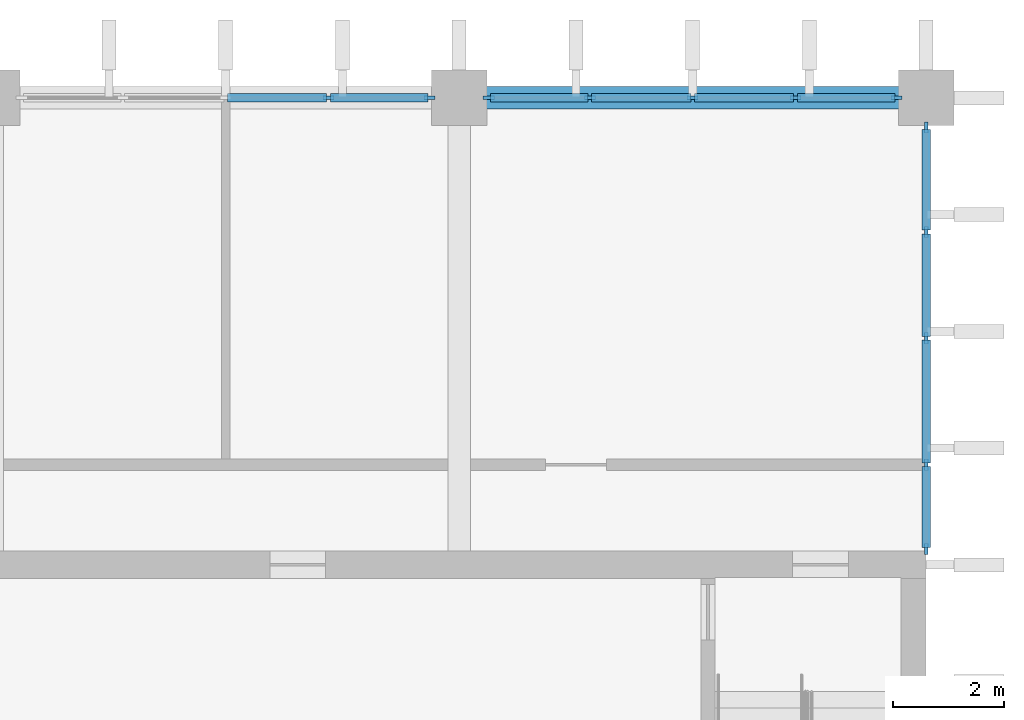
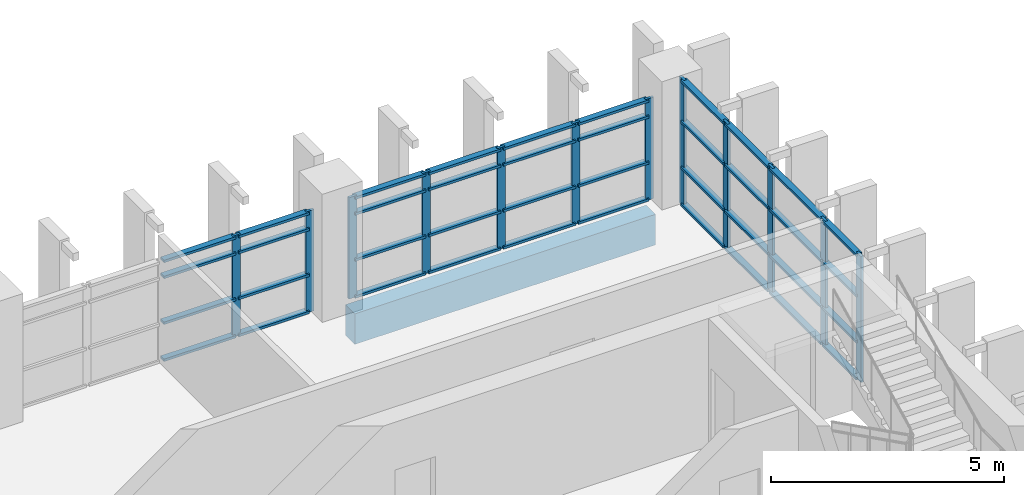
# One storey, part 6 of 24: 52 members, 1 beam, 3 elements without a shape of their own.
"""IFC4 building model written with IfcOpenShell, lengths in metres."""

from ifc_helpers import new_model, si_unit, direction, frame, origin, origin_2d, place, context, subcontext, project, spatial, rectangle, extrude, material, layer, layer_set, material_profile, profile_set, type_object, element, aggregate, save


model = new_model("IFC4")

# Units and contexts
model_context = context("Model", 3, precision=1e-05, world=origin(), true_north=direction((0.0, 1.0)))
body_context = subcontext(model_context, "Body", "Model", "MODEL_VIEW")
ifc_project = project(units=[si_unit("LENGTHUNIT", "METRE"), si_unit("AREAUNIT", "SQUARE_METRE"), si_unit("VOLUMEUNIT", "CUBIC_METRE"), si_unit("PLANEANGLEUNIT", "RADIAN"), si_unit("MASSUNIT", "GRAM", prefix="KILO")], contexts=[model_context])

# Site, building, storey
site_placement = place(None, origin())
site = spatial("IfcSite", under=ifc_project, at=site_placement, CompositionType="ELEMENT")
building_placement = place(site_placement, origin())
building = spatial("IfcBuilding", under=site, at=building_placement, Name="Rulbaag Community and Learning Centre", CompositionType="ELEMENT")
storey_placement = place(building_placement, frame((0.0, 0.0, 14.39990234375)))
storey = spatial("IfcBuildingStorey", under=building, at=storey_placement, Name="L03", CompositionType="ELEMENT", Elevation=14.39990234375)

# Beam
ifc_material_1 = material(Name="Concrete M40", Category="concrete")
ifc_material_profile_1 = material_profile(ifc_material_1, rectangle(XDim=0.39990234375, YDim=0.800048828125, at=origin_2d()), Name="RB400x800")
ifc_profile_set_1 = profile_set([ifc_material_profile_1], Name="Concrete M40")
beam_type = type_object("IfcBeamType", Name="B9 Terrace beam 400x800 Concrete M40", PredefinedType="BEAM", material=ifc_profile_set_1)
beam_placement = place(storey_placement, frame((160.080078125, 117.60009765625, -0.699951171875), z_axis=(1.0, 0.0, 0.0), x_axis=(0.0, 1.0, 0.0)))
element("IfcBeam", 1, at=beam_placement, inside=storey, type_object=beam_type, Name="BM-L03-20O-21O", PredefinedType="BEAM", context=body_context, shape_type="SweptSolid", body=[
    extrude(rectangle(XDim=0.39990234375, YDim=0.800048828125, at=origin_2d()), origin(), (0.0, 0.0, 1.0), 7.43994140625),
])

# Curtain wall, members
ifc_material_2 = material(Name="Aluminium", Category="aluminium")
ifc_layer = layer(ifc_material_2, 0.14990234375)
ifc_layer_set = layer_set([ifc_layer], Name="CW-T")
curtain_wall_type = type_object("IfcCurtainWallType", Name="CW-T", PredefinedType="USERDEFINED", material=ifc_layer_set)
curtain_wall_1_placement = place(storey_placement, origin())
curtain_wall_1 = element("IfcCurtainWall", 2, at=curtain_wall_1_placement, inside=storey, type_object=curtain_wall_type, Name="GT-L03-02", ObjectType="UNITISED CURTAIN WALL", PredefinedType="USERDEFINED")
ifc_material_3 = material(Name="Aluminium mullion", Category="aluminium")
ifc_material_profile_2 = material_profile(ifc_material_3, rectangle(XDim=0.06494140625, YDim=0.199951171875, at=origin_2d()), Name="AL 65x200")
ifc_profile_set_2 = profile_set([ifc_material_profile_2], Name="Aluminium mullion")
member_type_1 = type_object("IfcMemberType", Name="CW-T-MUL", PredefinedType="MULLION", material=ifc_profile_set_2)
member_1_placement = place(storey_placement, frame((157.25, 117.60009765625, 0.0), z_axis=(0.0, 0.0, 1.0), x_axis=(0.0, 1.0, 0.0)))
member_1 = element("IfcMember", 3, at=member_1_placement, type_object=member_type_1, Name="GT mullion 4", PredefinedType="MULLION", context=body_context, shape_type="SweptSolid", body=[
    extrude(rectangle(XDim=0.06494140625, YDim=0.199951171875, at=origin_2d()), origin(), (0.0, 0.0, 1.0), 2.650146484375),
])
member_2_placement = place(storey_placement, frame((159.0673828125, 117.60009765625, 0.0), z_axis=(0.0, 0.0, 1.0), x_axis=(0.0, 1.0, 0.0)))
member_2 = element("IfcMember", 4, at=member_2_placement, type_object=member_type_1, Name="GT mullion 5", PredefinedType="MULLION", context=body_context, shape_type="SweptSolid", body=[
    extrude(rectangle(XDim=0.06494140625, YDim=0.199951171875, at=origin_2d()), origin(), (0.0, 0.0, 1.0), 2.650146484375),
])

curtain_wall_2_placement = place(storey_placement, origin())
curtain_wall_2 = element("IfcCurtainWall", 5, at=curtain_wall_2_placement, inside=storey, type_object=curtain_wall_type, Name="GT-L03-03", ObjectType="UNITISED CURTAIN WALL", PredefinedType="USERDEFINED")
member_3_placement = place(storey_placement, frame((160.132568359375, 117.60009765625, 0.0), z_axis=(0.0, 0.0, 1.0), x_axis=(0.0, 1.0, 0.0)))
member_3 = element("IfcMember", 6, at=member_3_placement, type_object=member_type_1, Name="GT mullion 1", PredefinedType="MULLION", context=body_context, shape_type="SweptSolid", body=[
    extrude(rectangle(XDim=0.06494140625, YDim=0.199951171875, at=origin_2d()), origin(), (0.0, 0.0, 1.0), 2.650146484375),
])
member_4_placement = place(storey_placement, frame((161.949951171875, 117.60009765625, 0.0), z_axis=(0.0, 0.0, 1.0), x_axis=(0.0, 1.0, 0.0)))
member_4 = element("IfcMember", 7, at=member_4_placement, type_object=member_type_1, Name="GT mullion 2", PredefinedType="MULLION", context=body_context, shape_type="SweptSolid", body=[
    extrude(rectangle(XDim=0.06494140625, YDim=0.199951171875, at=origin_2d()), origin(), (0.0, 0.0, 1.0), 2.650146484375),
])
member_5_placement = place(storey_placement, frame((163.800048828125, 117.60009765625, 0.0), z_axis=(0.0, 0.0, 1.0), x_axis=(0.0, 1.0, 0.0)))
member_5 = element("IfcMember", 8, at=member_5_placement, type_object=member_type_1, Name="GT mullion 3", PredefinedType="MULLION", context=body_context, shape_type="SweptSolid", body=[
    extrude(rectangle(XDim=0.06494140625, YDim=0.199951171875, at=origin_2d()), origin(), (0.0, 0.0, 1.0), 2.650146484375),
])
member_6_placement = place(storey_placement, frame((165.64990234375, 117.60009765625, 0.0), z_axis=(0.0, 0.0, 1.0), x_axis=(0.0, 1.0, 0.0)))
member_6 = element("IfcMember", 9, at=member_6_placement, type_object=member_type_1, Name="GT mullion 4", PredefinedType="MULLION", context=body_context, shape_type="SweptSolid", body=[
    extrude(rectangle(XDim=0.06494140625, YDim=0.199951171875, at=origin_2d()), origin(), (0.0, 0.0, 1.0), 2.650146484375),
])
member_7_placement = place(storey_placement, frame((167.467529296875, 117.60009765625, 0.0), z_axis=(0.0, 0.0, 1.0), x_axis=(0.0, 1.0, 0.0)))
member_7 = element("IfcMember", 10, at=member_7_placement, type_object=member_type_1, Name="GT mullion 5", PredefinedType="MULLION", context=body_context, shape_type="SweptSolid", body=[
    extrude(rectangle(XDim=0.06494140625, YDim=0.199951171875, at=origin_2d()), origin(), (0.0, 0.0, 1.0), 2.650146484375),
])

curtain_wall_3_placement = place(storey_placement, origin())
curtain_wall_3 = element("IfcCurtainWall", 11, at=curtain_wall_3_placement, inside=storey, type_object=curtain_wall_type, Name="GT-L03-06", ObjectType="UNITISED CURTAIN WALL", PredefinedType="USERDEFINED")
member_8_placement = place(storey_placement, frame((168.0, 109.482421875, 0.0), z_axis=(0.0, 0.0, 1.0), x_axis=(-1.0, 0.0, 0.0)))
member_8 = element("IfcMember", 12, at=member_8_placement, type_object=member_type_1, Name="GT mullion 1", PredefinedType="MULLION", context=body_context, shape_type="SweptSolid", body=[
    extrude(rectangle(XDim=0.06494140625, YDim=0.199951171875, at=origin_2d()), origin(), (0.0, 0.0, 1.0), 3.300048828125),
])
member_9_placement = place(storey_placement, frame((168.0, 111.0, 0.0), z_axis=(0.0, 0.0, 1.0), x_axis=(-1.0, 0.0, 0.0)))
member_9 = element("IfcMember", 13, at=member_9_placement, type_object=member_type_1, Name="GT mullion 2", PredefinedType="MULLION", context=body_context, shape_type="SweptSolid", body=[
    extrude(rectangle(XDim=0.06494140625, YDim=0.199951171875, at=origin_2d()), origin(), (0.0, 0.0, 1.0), 3.300048828125),
])
member_10_placement = place(storey_placement, frame((168.0, 113.27490234375, 0.0), z_axis=(0.0, 0.0, 1.0), x_axis=(-1.0, 0.0, 0.0)))
member_10 = element("IfcMember", 14, at=member_10_placement, type_object=member_type_1, Name="GT mullion 3", PredefinedType="MULLION", context=body_context, shape_type="SweptSolid", body=[
    extrude(rectangle(XDim=0.06494140625, YDim=0.199951171875, at=origin_2d()), origin(), (0.0, 0.0, 1.0), 3.300048828125),
])
member_11_placement = place(storey_placement, frame((168.0, 115.1875, 0.0), z_axis=(0.0, 0.0, 1.0), x_axis=(-1.0, 0.0, 0.0)))
member_11 = element("IfcMember", 15, at=member_11_placement, type_object=member_type_1, Name="GT mullion 4", PredefinedType="MULLION", context=body_context, shape_type="SweptSolid", body=[
    extrude(rectangle(XDim=0.06494140625, YDim=0.199951171875, at=origin_2d()), origin(), (0.0, 0.0, 1.0), 3.300048828125),
])
member_12_placement = place(storey_placement, frame((168.0, 117.0673828125, 0.0), z_axis=(0.0, 0.0, 1.0), x_axis=(-1.0, 0.0, 0.0)))
member_12 = element("IfcMember", 16, at=member_12_placement, type_object=member_type_1, Name="GT mullion 5", PredefinedType="MULLION", context=body_context, shape_type="SweptSolid", body=[
    extrude(rectangle(XDim=0.06494140625, YDim=0.199951171875, at=origin_2d()), origin(), (0.0, 0.0, 1.0), 3.300048828125),
])

# Member
ifc_material_4 = material(Name="Aluminium transom", Category="aluminium")
ifc_material_profile_3 = material_profile(ifc_material_4, rectangle(XDim=0.14990234375, YDim=0.06494140625, at=origin_2d()), Name="AL 65x150 T")
ifc_profile_set_3 = profile_set([ifc_material_profile_3], Name="Aluminium transom")
member_type_2 = type_object("IfcMemberType", Name="CW-T-TRN", PredefinedType="USERDEFINED", material=ifc_profile_set_3)
member_13_placement = place(storey_placement, frame((155.4326171875, 117.60009765625, 0.03271484375), z_axis=(1.0, 0.0, 0.0), x_axis=(0.0, 1.0, 0.0)))
member_13 = element("IfcMember", 17, at=member_13_placement, type_object=member_type_2, Name="GT transom 3.1", ObjectType="TRANSOM", PredefinedType="USERDEFINED", context=body_context, shape_type="SweptSolid", body=[
    extrude(rectangle(XDim=0.14990234375, YDim=0.06494140625, at=origin_2d()), origin(), (0.0, 0.0, 1.0), 1.784912109375),
])

member_14_placement = place(storey_placement, frame((155.4326171875, 117.60009765625, 1.0), z_axis=(1.0, 0.0, 0.0), x_axis=(0.0, 1.0, 0.0)))
member_14 = element("IfcMember", 18, at=member_14_placement, type_object=member_type_2, Name="GT transom 3.2", ObjectType="TRANSOM", PredefinedType="USERDEFINED", context=body_context, shape_type="SweptSolid", body=[
    extrude(rectangle(XDim=0.14990234375, YDim=0.06494140625, at=origin_2d()), origin(), (0.0, 0.0, 1.0), 1.784912109375),
])

member_15_placement = place(storey_placement, frame((155.4326171875, 117.60009765625, 2.2001953125), z_axis=(1.0, 0.0, 0.0), x_axis=(0.0, 1.0, 0.0)))
member_15 = element("IfcMember", 19, at=member_15_placement, type_object=member_type_2, Name="GT transom 3.3", ObjectType="TRANSOM", PredefinedType="USERDEFINED", context=body_context, shape_type="SweptSolid", body=[
    extrude(rectangle(XDim=0.14990234375, YDim=0.06494140625, at=origin_2d()), origin(), (0.0, 0.0, 1.0), 1.784912109375),
])

member_16_placement = place(storey_placement, frame((155.4326171875, 117.60009765625, 2.61767578125), z_axis=(1.0, 0.0, 0.0), x_axis=(0.0, 1.0, 0.0)))
member_16 = element("IfcMember", 20, at=member_16_placement, type_object=member_type_2, Name="GT transom 3.4", ObjectType="TRANSOM", PredefinedType="USERDEFINED", context=body_context, shape_type="SweptSolid", body=[
    extrude(rectangle(XDim=0.14990234375, YDim=0.06494140625, at=origin_2d()), origin(), (0.0, 0.0, 1.0), 1.784912109375),
])

member_17_placement = place(storey_placement, frame((157.282470703125, 117.60009765625, 0.03271484375), z_axis=(1.0, 0.0, 0.0), x_axis=(0.0, 1.0, 0.0)))
member_17 = element("IfcMember", 21, at=member_17_placement, type_object=member_type_2, Name="GT transom 4.1", ObjectType="TRANSOM", PredefinedType="USERDEFINED", context=body_context, shape_type="SweptSolid", body=[
    extrude(rectangle(XDim=0.14990234375, YDim=0.06494140625, at=origin_2d()), origin(), (0.0, 0.0, 1.0), 1.75244140625),
])

member_18_placement = place(storey_placement, frame((157.282470703125, 117.60009765625, 1.0), z_axis=(1.0, 0.0, 0.0), x_axis=(0.0, 1.0, 0.0)))
member_18 = element("IfcMember", 22, at=member_18_placement, type_object=member_type_2, Name="GT transom 4.2", ObjectType="TRANSOM", PredefinedType="USERDEFINED", context=body_context, shape_type="SweptSolid", body=[
    extrude(rectangle(XDim=0.14990234375, YDim=0.06494140625, at=origin_2d()), origin(), (0.0, 0.0, 1.0), 1.75244140625),
])

member_19_placement = place(storey_placement, frame((157.282470703125, 117.60009765625, 2.2001953125), z_axis=(1.0, 0.0, 0.0), x_axis=(0.0, 1.0, 0.0)))
member_19 = element("IfcMember", 23, at=member_19_placement, type_object=member_type_2, Name="GT transom 4.3", ObjectType="TRANSOM", PredefinedType="USERDEFINED", context=body_context, shape_type="SweptSolid", body=[
    extrude(rectangle(XDim=0.14990234375, YDim=0.06494140625, at=origin_2d()), origin(), (0.0, 0.0, 1.0), 1.75244140625),
])

member_20_placement = place(storey_placement, frame((157.282470703125, 117.60009765625, 2.61767578125), z_axis=(1.0, 0.0, 0.0), x_axis=(0.0, 1.0, 0.0)))
member_20 = element("IfcMember", 24, at=member_20_placement, type_object=member_type_2, Name="GT transom 4.4", ObjectType="TRANSOM", PredefinedType="USERDEFINED", context=body_context, shape_type="SweptSolid", body=[
    extrude(rectangle(XDim=0.14990234375, YDim=0.06494140625, at=origin_2d()), origin(), (0.0, 0.0, 1.0), 1.75244140625),
])

aggregate(curtain_wall_1, [member_1, member_2, member_13, member_14, member_15, member_16, member_17, member_18, member_19, member_20])

member_21_placement = place(storey_placement, frame((160.1650390625, 117.60009765625, 0.03271484375), z_axis=(1.0, 0.0, 0.0), x_axis=(0.0, 1.0, 0.0)))
member_21 = element("IfcMember", 25, at=member_21_placement, type_object=member_type_2, Name="GT transom 1.1", ObjectType="TRANSOM", PredefinedType="USERDEFINED", context=body_context, shape_type="SweptSolid", body=[
    extrude(rectangle(XDim=0.14990234375, YDim=0.06494140625, at=origin_2d()), origin(), (0.0, 0.0, 1.0), 1.75244140625),
])

member_22_placement = place(storey_placement, frame((160.1650390625, 117.60009765625, 1.0), z_axis=(1.0, 0.0, 0.0), x_axis=(0.0, 1.0, 0.0)))
member_22 = element("IfcMember", 26, at=member_22_placement, type_object=member_type_2, Name="GT transom 1.2", ObjectType="TRANSOM", PredefinedType="USERDEFINED", context=body_context, shape_type="SweptSolid", body=[
    extrude(rectangle(XDim=0.14990234375, YDim=0.06494140625, at=origin_2d()), origin(), (0.0, 0.0, 1.0), 1.75244140625),
])

member_23_placement = place(storey_placement, frame((160.1650390625, 117.60009765625, 2.2001953125), z_axis=(1.0, 0.0, 0.0), x_axis=(0.0, 1.0, 0.0)))
member_23 = element("IfcMember", 27, at=member_23_placement, type_object=member_type_2, Name="GT transom 1.3", ObjectType="TRANSOM", PredefinedType="USERDEFINED", context=body_context, shape_type="SweptSolid", body=[
    extrude(rectangle(XDim=0.14990234375, YDim=0.06494140625, at=origin_2d()), origin(), (0.0, 0.0, 1.0), 1.75244140625),
])

member_24_placement = place(storey_placement, frame((160.1650390625, 117.60009765625, 2.61767578125), z_axis=(1.0, 0.0, 0.0), x_axis=(0.0, 1.0, 0.0)))
member_24 = element("IfcMember", 28, at=member_24_placement, type_object=member_type_2, Name="GT transom 1.4", ObjectType="TRANSOM", PredefinedType="USERDEFINED", context=body_context, shape_type="SweptSolid", body=[
    extrude(rectangle(XDim=0.14990234375, YDim=0.06494140625, at=origin_2d()), origin(), (0.0, 0.0, 1.0), 1.75244140625),
])

member_25_placement = place(storey_placement, frame((161.982421875, 117.60009765625, 0.03271484375), z_axis=(1.0, 0.0, 0.0), x_axis=(0.0, 1.0, 0.0)))
member_25 = element("IfcMember", 29, at=member_25_placement, type_object=member_type_2, Name="GT transom 2.1", ObjectType="TRANSOM", PredefinedType="USERDEFINED", context=body_context, shape_type="SweptSolid", body=[
    extrude(rectangle(XDim=0.14990234375, YDim=0.06494140625, at=origin_2d()), origin(), (0.0, 0.0, 1.0), 1.78515625),
])

member_26_placement = place(storey_placement, frame((161.982421875, 117.60009765625, 1.0), z_axis=(1.0, 0.0, 0.0), x_axis=(0.0, 1.0, 0.0)))
member_26 = element("IfcMember", 30, at=member_26_placement, type_object=member_type_2, Name="GT transom 2.2", ObjectType="TRANSOM", PredefinedType="USERDEFINED", context=body_context, shape_type="SweptSolid", body=[
    extrude(rectangle(XDim=0.14990234375, YDim=0.06494140625, at=origin_2d()), origin(), (0.0, 0.0, 1.0), 1.78515625),
])

member_27_placement = place(storey_placement, frame((161.982421875, 117.60009765625, 2.2001953125), z_axis=(1.0, 0.0, 0.0), x_axis=(0.0, 1.0, 0.0)))
member_27 = element("IfcMember", 31, at=member_27_placement, type_object=member_type_2, Name="GT transom 2.3", ObjectType="TRANSOM", PredefinedType="USERDEFINED", context=body_context, shape_type="SweptSolid", body=[
    extrude(rectangle(XDim=0.14990234375, YDim=0.06494140625, at=origin_2d()), origin(), (0.0, 0.0, 1.0), 1.78515625),
])

member_28_placement = place(storey_placement, frame((161.982421875, 117.60009765625, 2.61767578125), z_axis=(1.0, 0.0, 0.0), x_axis=(0.0, 1.0, 0.0)))
member_28 = element("IfcMember", 32, at=member_28_placement, type_object=member_type_2, Name="GT transom 2.4", ObjectType="TRANSOM", PredefinedType="USERDEFINED", context=body_context, shape_type="SweptSolid", body=[
    extrude(rectangle(XDim=0.14990234375, YDim=0.06494140625, at=origin_2d()), origin(), (0.0, 0.0, 1.0), 1.78515625),
])

member_29_placement = place(storey_placement, frame((163.83251953125, 117.60009765625, 0.03271484375), z_axis=(1.0, 0.0, 0.0), x_axis=(0.0, 1.0, 0.0)))
member_29 = element("IfcMember", 33, at=member_29_placement, type_object=member_type_2, Name="GT transom 3.1", ObjectType="TRANSOM", PredefinedType="USERDEFINED", context=body_context, shape_type="SweptSolid", body=[
    extrude(rectangle(XDim=0.14990234375, YDim=0.06494140625, at=origin_2d()), origin(), (0.0, 0.0, 1.0), 1.784912109375),
])

member_30_placement = place(storey_placement, frame((163.83251953125, 117.60009765625, 1.0), z_axis=(1.0, 0.0, 0.0), x_axis=(0.0, 1.0, 0.0)))
member_30 = element("IfcMember", 34, at=member_30_placement, type_object=member_type_2, Name="GT transom 3.2", ObjectType="TRANSOM", PredefinedType="USERDEFINED", context=body_context, shape_type="SweptSolid", body=[
    extrude(rectangle(XDim=0.14990234375, YDim=0.06494140625, at=origin_2d()), origin(), (0.0, 0.0, 1.0), 1.784912109375),
])

member_31_placement = place(storey_placement, frame((163.83251953125, 117.60009765625, 2.2001953125), z_axis=(1.0, 0.0, 0.0), x_axis=(0.0, 1.0, 0.0)))
member_31 = element("IfcMember", 35, at=member_31_placement, type_object=member_type_2, Name="GT transom 3.3", ObjectType="TRANSOM", PredefinedType="USERDEFINED", context=body_context, shape_type="SweptSolid", body=[
    extrude(rectangle(XDim=0.14990234375, YDim=0.06494140625, at=origin_2d()), origin(), (0.0, 0.0, 1.0), 1.784912109375),
])

member_32_placement = place(storey_placement, frame((163.83251953125, 117.60009765625, 2.61767578125), z_axis=(1.0, 0.0, 0.0), x_axis=(0.0, 1.0, 0.0)))
member_32 = element("IfcMember", 36, at=member_32_placement, type_object=member_type_2, Name="GT transom 3.4", ObjectType="TRANSOM", PredefinedType="USERDEFINED", context=body_context, shape_type="SweptSolid", body=[
    extrude(rectangle(XDim=0.14990234375, YDim=0.06494140625, at=origin_2d()), origin(), (0.0, 0.0, 1.0), 1.784912109375),
])

member_33_placement = place(storey_placement, frame((165.6826171875, 117.60009765625, 0.03271484375), z_axis=(1.0, 0.0, 0.0), x_axis=(0.0, 1.0, 0.0)))
member_33 = element("IfcMember", 37, at=member_33_placement, type_object=member_type_2, Name="GT transom 4.1", ObjectType="TRANSOM", PredefinedType="USERDEFINED", context=body_context, shape_type="SweptSolid", body=[
    extrude(rectangle(XDim=0.14990234375, YDim=0.06494140625, at=origin_2d()), origin(), (0.0, 0.0, 1.0), 1.75244140625),
])

member_34_placement = place(storey_placement, frame((165.6826171875, 117.60009765625, 1.0), z_axis=(1.0, 0.0, 0.0), x_axis=(0.0, 1.0, 0.0)))
member_34 = element("IfcMember", 38, at=member_34_placement, type_object=member_type_2, Name="GT transom 4.2", ObjectType="TRANSOM", PredefinedType="USERDEFINED", context=body_context, shape_type="SweptSolid", body=[
    extrude(rectangle(XDim=0.14990234375, YDim=0.06494140625, at=origin_2d()), origin(), (0.0, 0.0, 1.0), 1.75244140625),
])

member_35_placement = place(storey_placement, frame((165.6826171875, 117.60009765625, 2.2001953125), z_axis=(1.0, 0.0, 0.0), x_axis=(0.0, 1.0, 0.0)))
member_35 = element("IfcMember", 39, at=member_35_placement, type_object=member_type_2, Name="GT transom 4.3", ObjectType="TRANSOM", PredefinedType="USERDEFINED", context=body_context, shape_type="SweptSolid", body=[
    extrude(rectangle(XDim=0.14990234375, YDim=0.06494140625, at=origin_2d()), origin(), (0.0, 0.0, 1.0), 1.75244140625),
])

member_36_placement = place(storey_placement, frame((165.6826171875, 117.60009765625, 2.61767578125), z_axis=(1.0, 0.0, 0.0), x_axis=(0.0, 1.0, 0.0)))
member_36 = element("IfcMember", 40, at=member_36_placement, type_object=member_type_2, Name="GT transom 4.4", ObjectType="TRANSOM", PredefinedType="USERDEFINED", context=body_context, shape_type="SweptSolid", body=[
    extrude(rectangle(XDim=0.14990234375, YDim=0.06494140625, at=origin_2d()), origin(), (0.0, 0.0, 1.0), 1.75244140625),
])

aggregate(curtain_wall_2, [member_3, member_4, member_5, member_6, member_7, member_21, member_22, member_23, member_24, member_25, member_26, member_27, member_28, member_29, member_30, member_31, member_32, member_33, member_34, member_35, member_36])

member_37_placement = place(storey_placement, frame((168.0, 109.514892578125, 0.03271484375), z_axis=(0.0, 1.0, 0.0), x_axis=(-1.0, 0.0, 0.0)))
member_37 = element("IfcMember", 41, at=member_37_placement, type_object=member_type_2, Name="GT transom 1.1", ObjectType="TRANSOM", PredefinedType="USERDEFINED", context=body_context, shape_type="SweptSolid", body=[
    extrude(rectangle(XDim=0.14990234375, YDim=0.06494140625, at=origin_2d()), origin(), (0.0, 0.0, 1.0), 1.45263671875),
])

member_38_placement = place(storey_placement, frame((168.0, 109.514892578125, 1.0), z_axis=(0.0, 1.0, 0.0), x_axis=(-1.0, 0.0, 0.0)))
member_38 = element("IfcMember", 42, at=member_38_placement, type_object=member_type_2, Name="GT transom 1.2", ObjectType="TRANSOM", PredefinedType="USERDEFINED", context=body_context, shape_type="SweptSolid", body=[
    extrude(rectangle(XDim=0.14990234375, YDim=0.06494140625, at=origin_2d()), origin(), (0.0, 0.0, 1.0), 1.45263671875),
])

member_39_placement = place(storey_placement, frame((168.0, 109.514892578125, 2.2001953125), z_axis=(0.0, 1.0, 0.0), x_axis=(-1.0, 0.0, 0.0)))
member_39 = element("IfcMember", 43, at=member_39_placement, type_object=member_type_2, Name="GT transom 1.3", ObjectType="TRANSOM", PredefinedType="USERDEFINED", context=body_context, shape_type="SweptSolid", body=[
    extrude(rectangle(XDim=0.14990234375, YDim=0.06494140625, at=origin_2d()), origin(), (0.0, 0.0, 1.0), 1.45263671875),
])

member_40_placement = place(storey_placement, frame((168.0, 109.514892578125, 3.267578125), z_axis=(0.0, 1.0, 0.0), x_axis=(-1.0, 0.0, 0.0)))
member_40 = element("IfcMember", 44, at=member_40_placement, type_object=member_type_2, Name="GT transom 1.4", ObjectType="TRANSOM", PredefinedType="USERDEFINED", context=body_context, shape_type="SweptSolid", body=[
    extrude(rectangle(XDim=0.14990234375, YDim=0.06494140625, at=origin_2d()), origin(), (0.0, 0.0, 1.0), 1.45263671875),
])

member_41_placement = place(storey_placement, frame((168.0, 111.032470703125, 0.03271484375), z_axis=(0.0, 1.0, 0.0), x_axis=(-1.0, 0.0, 0.0)))
member_41 = element("IfcMember", 45, at=member_41_placement, type_object=member_type_2, Name="GT transom 2.1", ObjectType="TRANSOM", PredefinedType="USERDEFINED", context=body_context, shape_type="SweptSolid", body=[
    extrude(rectangle(XDim=0.14990234375, YDim=0.06494140625, at=origin_2d()), origin(), (0.0, 0.0, 1.0), 2.2099609375),
])

member_42_placement = place(storey_placement, frame((168.0, 111.032470703125, 1.0), z_axis=(0.0, 1.0, 0.0), x_axis=(-1.0, 0.0, 0.0)))
member_42 = element("IfcMember", 46, at=member_42_placement, type_object=member_type_2, Name="GT transom 2.2", ObjectType="TRANSOM", PredefinedType="USERDEFINED", context=body_context, shape_type="SweptSolid", body=[
    extrude(rectangle(XDim=0.14990234375, YDim=0.06494140625, at=origin_2d()), origin(), (0.0, 0.0, 1.0), 2.2099609375),
])

member_43_placement = place(storey_placement, frame((168.0, 111.032470703125, 2.2001953125), z_axis=(0.0, 1.0, 0.0), x_axis=(-1.0, 0.0, 0.0)))
member_43 = element("IfcMember", 47, at=member_43_placement, type_object=member_type_2, Name="GT transom 2.3", ObjectType="TRANSOM", PredefinedType="USERDEFINED", context=body_context, shape_type="SweptSolid", body=[
    extrude(rectangle(XDim=0.14990234375, YDim=0.06494140625, at=origin_2d()), origin(), (0.0, 0.0, 1.0), 2.2099609375),
])

member_44_placement = place(storey_placement, frame((168.0, 111.032470703125, 3.267578125), z_axis=(0.0, 1.0, 0.0), x_axis=(-1.0, 0.0, 0.0)))
member_44 = element("IfcMember", 48, at=member_44_placement, type_object=member_type_2, Name="GT transom 2.4", ObjectType="TRANSOM", PredefinedType="USERDEFINED", context=body_context, shape_type="SweptSolid", body=[
    extrude(rectangle(XDim=0.14990234375, YDim=0.06494140625, at=origin_2d()), origin(), (0.0, 0.0, 1.0), 2.2099609375),
])

member_45_placement = place(storey_placement, frame((168.0, 113.3076171875, 0.03271484375), z_axis=(0.0, 1.0, 0.0), x_axis=(-1.0, 0.0, 0.0)))
member_45 = element("IfcMember", 49, at=member_45_placement, type_object=member_type_2, Name="GT transom 3.1", ObjectType="TRANSOM", PredefinedType="USERDEFINED", context=body_context, shape_type="SweptSolid", body=[
    extrude(rectangle(XDim=0.14990234375, YDim=0.06494140625, at=origin_2d()), origin(), (0.0, 0.0, 1.0), 1.847412109375),
])

member_46_placement = place(storey_placement, frame((168.0, 113.3076171875, 1.0), z_axis=(0.0, 1.0, 0.0), x_axis=(-1.0, 0.0, 0.0)))
member_46 = element("IfcMember", 50, at=member_46_placement, type_object=member_type_2, Name="GT transom 3.2", ObjectType="TRANSOM", PredefinedType="USERDEFINED", context=body_context, shape_type="SweptSolid", body=[
    extrude(rectangle(XDim=0.14990234375, YDim=0.06494140625, at=origin_2d()), origin(), (0.0, 0.0, 1.0), 1.847412109375),
])

member_47_placement = place(storey_placement, frame((168.0, 113.3076171875, 2.2001953125), z_axis=(0.0, 1.0, 0.0), x_axis=(-1.0, 0.0, 0.0)))
member_47 = element("IfcMember", 51, at=member_47_placement, type_object=member_type_2, Name="GT transom 3.3", ObjectType="TRANSOM", PredefinedType="USERDEFINED", context=body_context, shape_type="SweptSolid", body=[
    extrude(rectangle(XDim=0.14990234375, YDim=0.06494140625, at=origin_2d()), origin(), (0.0, 0.0, 1.0), 1.847412109375),
])

member_48_placement = place(storey_placement, frame((168.0, 113.3076171875, 3.267578125), z_axis=(0.0, 1.0, 0.0), x_axis=(-1.0, 0.0, 0.0)))
member_48 = element("IfcMember", 52, at=member_48_placement, type_object=member_type_2, Name="GT transom 3.4", ObjectType="TRANSOM", PredefinedType="USERDEFINED", context=body_context, shape_type="SweptSolid", body=[
    extrude(rectangle(XDim=0.14990234375, YDim=0.06494140625, at=origin_2d()), origin(), (0.0, 0.0, 1.0), 1.847412109375),
])

member_49_placement = place(storey_placement, frame((168.0, 115.219970703125, 0.03271484375), z_axis=(0.0, 1.0, 0.0), x_axis=(-1.0, 0.0, 0.0)))
member_49 = element("IfcMember", 53, at=member_49_placement, type_object=member_type_2, Name="GT transom 4.1", ObjectType="TRANSOM", PredefinedType="USERDEFINED", context=body_context, shape_type="SweptSolid", body=[
    extrude(rectangle(XDim=0.14990234375, YDim=0.06494140625, at=origin_2d()), origin(), (0.0, 0.0, 1.0), 1.81494140625),
])

member_50_placement = place(storey_placement, frame((168.0, 115.219970703125, 1.0), z_axis=(0.0, 1.0, 0.0), x_axis=(-1.0, 0.0, 0.0)))
member_50 = element("IfcMember", 54, at=member_50_placement, type_object=member_type_2, Name="GT transom 4.2", ObjectType="TRANSOM", PredefinedType="USERDEFINED", context=body_context, shape_type="SweptSolid", body=[
    extrude(rectangle(XDim=0.14990234375, YDim=0.06494140625, at=origin_2d()), origin(), (0.0, 0.0, 1.0), 1.81494140625),
])

member_51_placement = place(storey_placement, frame((168.0, 115.219970703125, 2.2001953125), z_axis=(0.0, 1.0, 0.0), x_axis=(-1.0, 0.0, 0.0)))
member_51 = element("IfcMember", 55, at=member_51_placement, type_object=member_type_2, Name="GT transom 4.3", ObjectType="TRANSOM", PredefinedType="USERDEFINED", context=body_context, shape_type="SweptSolid", body=[
    extrude(rectangle(XDim=0.14990234375, YDim=0.06494140625, at=origin_2d()), origin(), (0.0, 0.0, 1.0), 1.81494140625),
])

member_52_placement = place(storey_placement, frame((168.0, 115.219970703125, 3.267578125), z_axis=(0.0, 1.0, 0.0), x_axis=(-1.0, 0.0, 0.0)))
member_52 = element("IfcMember", 56, at=member_52_placement, type_object=member_type_2, Name="GT transom 4.4", ObjectType="TRANSOM", PredefinedType="USERDEFINED", context=body_context, shape_type="SweptSolid", body=[
    extrude(rectangle(XDim=0.14990234375, YDim=0.06494140625, at=origin_2d()), origin(), (0.0, 0.0, 1.0), 1.81494140625),
])

aggregate(curtain_wall_3, [member_8, member_9, member_10, member_11, member_12, member_37, member_38, member_39, member_40, member_41, member_42, member_43, member_44, member_45, member_46, member_47, member_48, member_49, member_50, member_51, member_52])

save(model, "model.ifc")
